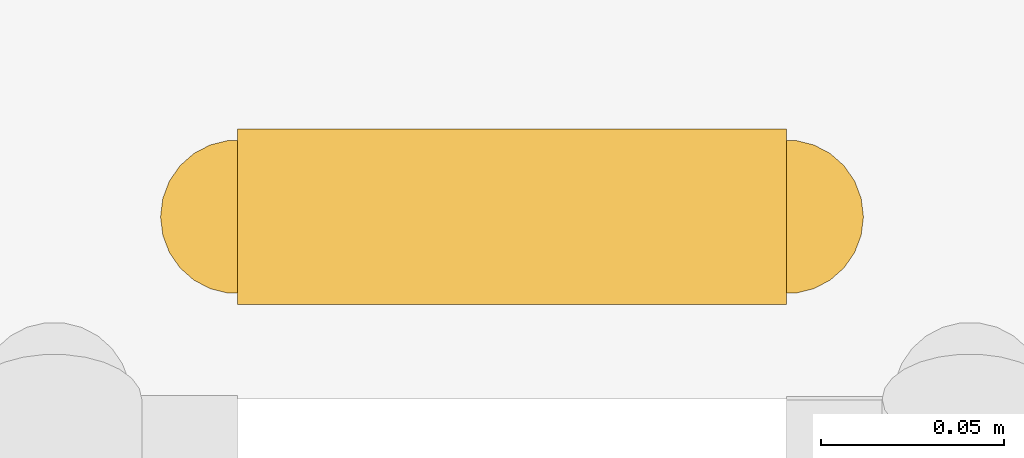
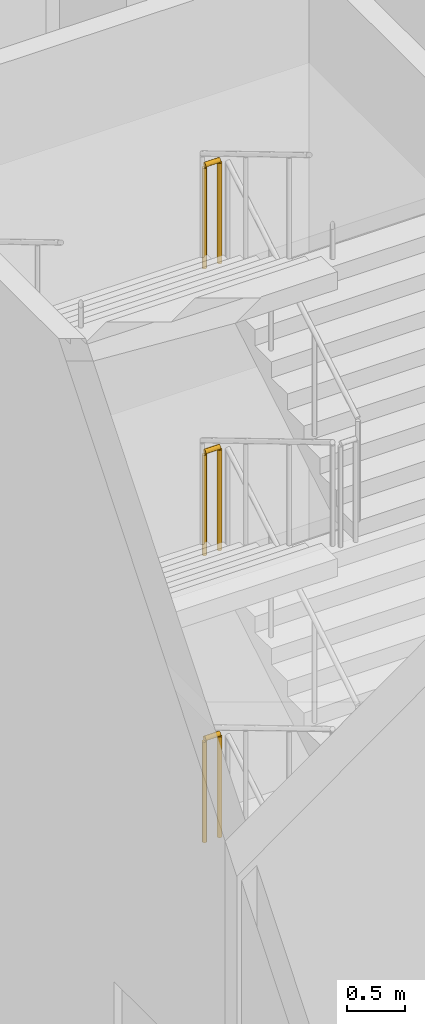
# One storey, part 25 of 25: 3 railings.
"""IFC4 building model written with IfcOpenShell, lengths in metres."""

from ifc_helpers import new_model, si_unit, direction, frame, origin, origin_2d, place, context, subcontext, project, spatial, circle, extrude, material, type_object, element, save


model = new_model("IFC4")

# Units and contexts
model_context = context("Model", 3, precision=1e-05, world=origin(), true_north=direction((0.0, 1.0)))
body_context = subcontext(model_context, "Body", "Model", "MODEL_VIEW")
ifc_project = project(units=[si_unit("LENGTHUNIT", "METRE"), si_unit("AREAUNIT", "SQUARE_METRE"), si_unit("VOLUMEUNIT", "CUBIC_METRE"), si_unit("PLANEANGLEUNIT", "RADIAN"), si_unit("MASSUNIT", "GRAM", prefix="KILO")], contexts=[model_context])

# Site, building, storey
site_placement = place(None, origin())
site = spatial("IfcSite", under=ifc_project, at=site_placement, CompositionType="ELEMENT")
building_placement = place(site_placement, origin())
building = spatial("IfcBuilding", under=site, at=building_placement, Name="Calabash Gate Tower", CompositionType="ELEMENT")
storey_placement = place(building_placement, frame((0.0, 0.0, 20.0)))
storey = spatial("IfcBuildingStorey", under=building, at=storey_placement, Name="L02", CompositionType="ELEMENT", Elevation=20.0)

# Railings
ifc_material = material(Name="Black powder-coated steel balusters", Category="steel")
railing_type = type_object("IfcRailingType", Name="Stair guard RL1100", PredefinedType="GUARDRAIL", material=ifc_material)
for number, where, name in (
    (1, (36.010009765625, 18.44189453125, 1.5), "L02 PS10 stair guard 2"),
    (2, (36.010009765625, 18.44189453125, 4.5), "L02 PS10 stair guard 6"),
    (3, (36.010009765625, 18.44189453125, 7.5), "L02 PS10 stair guard 10"),
):
    element("IfcRailing", number, at=place(storey_placement, frame(where)), inside=storey, type_object=railing_type, Name=name, PredefinedType="GUARDRAIL", context=body_context, shape_type="SweptSolid", body=[
        extrude(circle(Radius=0.02392578125, at=origin_2d()), frame((0.0, 0.0, 1.076171875), z_axis=(-1.0, 0.0, 0.0), x_axis=(0.0, -1.0, 0.0)), (0.0, 0.0, 1.0), 0.14990234375),
        extrude(circle(Radius=0.02099609375, at=origin_2d()), origin(), (0.0, 0.0, 1.0), 1.052001953125),
        extrude(circle(Radius=0.02099609375, at=origin_2d()), frame((-0.14990234375, 0.0, 0.0)), (0.0, 0.0, 1.0), 1.052001953125),
    ])

save(model, "model.ifc")
